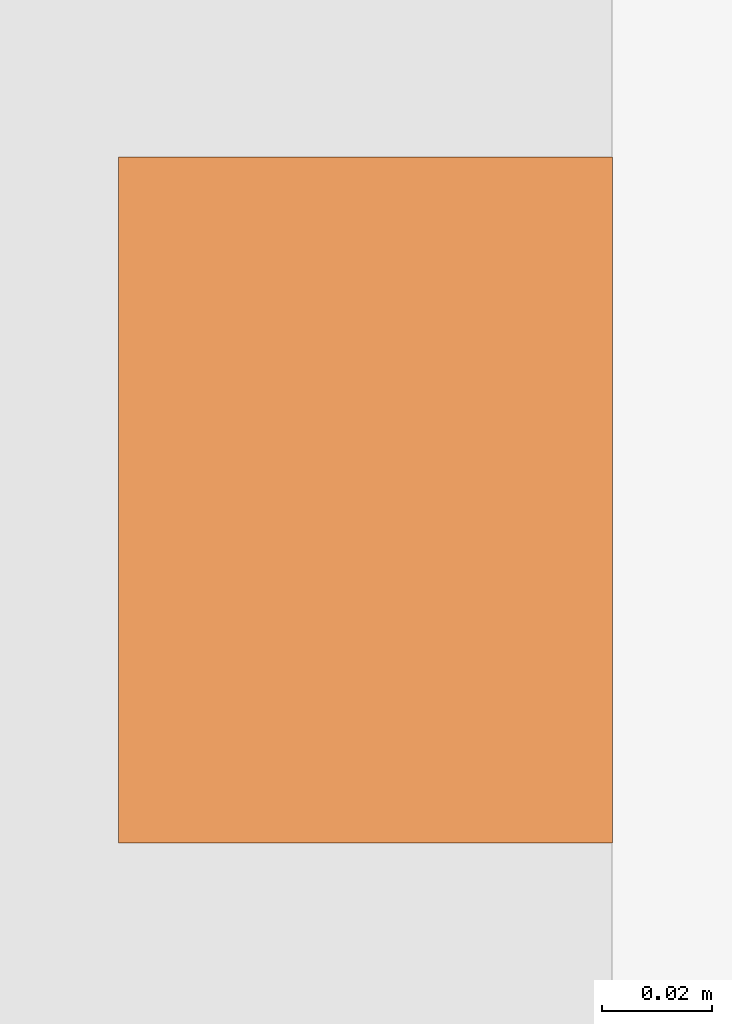
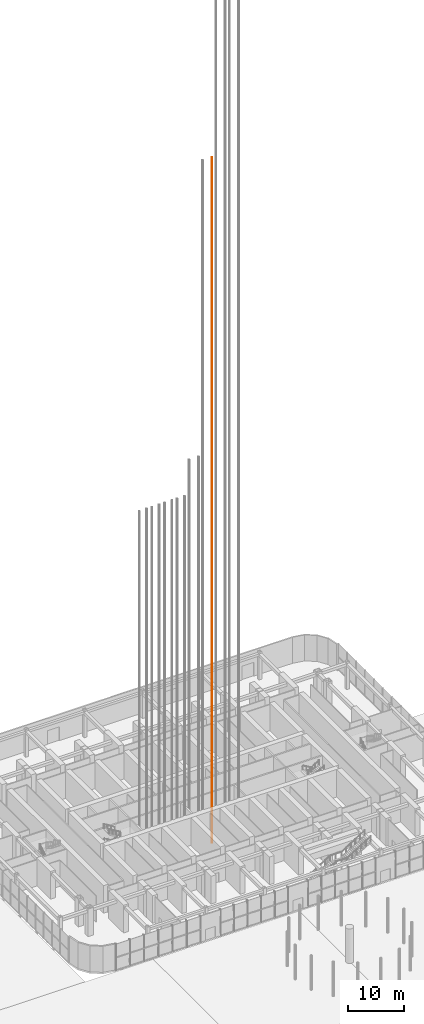
# One storey, part 53 of 57: 1 proxy.
"""IFC4 building model written with IfcOpenShell, lengths in metres."""

from ifc_helpers import new_model, si_unit, direction, frame, origin, origin_2d, place, context, subcontext, project, spatial, rectangle, extrude, material, element, save


model = new_model("IFC4")

# Units and contexts
model_context = context("Model", 3, precision=1e-05, world=origin(), true_north=direction((0.0, 1.0)))
body_context = subcontext(model_context, "Body", "Model", "MODEL_VIEW")
ifc_project = project(units=[si_unit("LENGTHUNIT", "METRE"), si_unit("AREAUNIT", "SQUARE_METRE"), si_unit("VOLUMEUNIT", "CUBIC_METRE"), si_unit("PLANEANGLEUNIT", "RADIAN"), si_unit("MASSUNIT", "GRAM", prefix="KILO")], contexts=[model_context])

# Site, building, storey
site_placement = place(None, origin())
site = spatial("IfcSite", under=ifc_project, at=site_placement, CompositionType="ELEMENT")
building_placement = place(site_placement, origin())
building = spatial("IfcBuilding", under=site, at=building_placement, Name="Orbita Commons", CompositionType="ELEMENT")
storey_placement = place(building_placement, origin())
storey = spatial("IfcBuildingStorey", under=building, at=storey_placement, Name="L00", CompositionType="ELEMENT", Elevation=0.0)

# Proxy
ifc_material = material(Name="Machined steel guide rail", Category="steel")
placement = place(storey_placement, frame((40.52490234375, 28.10009765625, 0.0), z_axis=(0.0, 0.0, 1.0), x_axis=(1.0, 0.0, 0.0)))
proxy_placement = place(placement, frame((0.955078125, 0.0, -3.199951171875)))
element("IfcBuildingElementProxy", 1, at=proxy_placement, inside=storey, material=ifc_material, Name="SH21 guide rail 2", ObjectType="GUIDE RAIL", PredefinedType="USERDEFINED", context=body_context, shape_type="SweptSolid", body=[
    extrude(rectangle(XDim=0.09, YDim=0.125, at=origin_2d()), origin(), (0.0, 0.0, 1.0), 149.050048828125),
])

save(model, "model.ifc")
